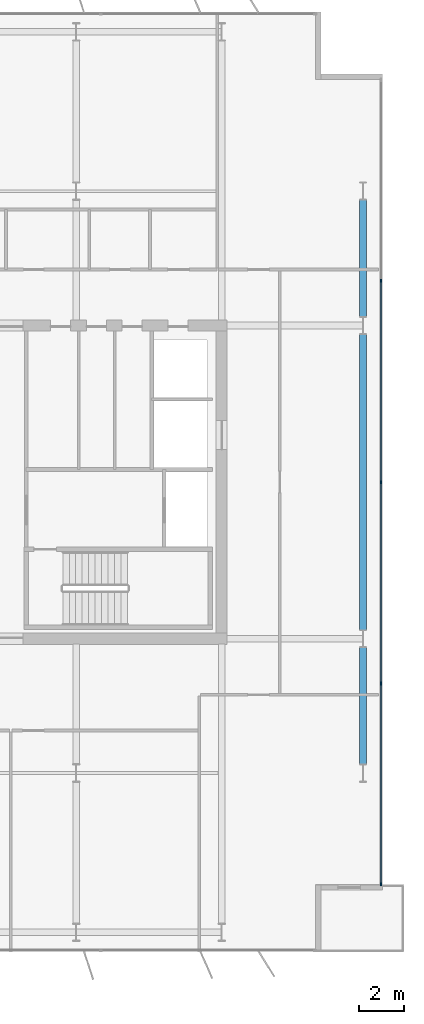
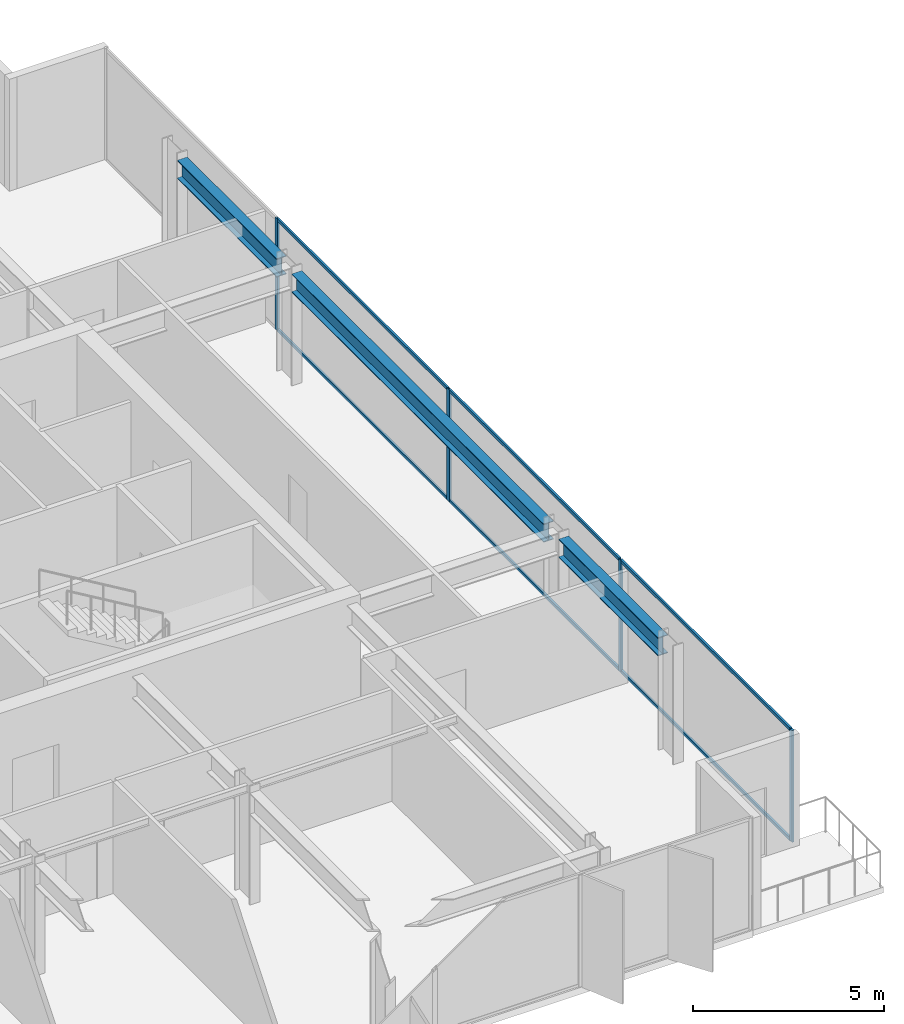
# One storey, part 14 of 24: 10 members, 3 beams, 1 element without a shape of its own.
"""IFC4 building model written with IfcOpenShell, lengths in metres."""

from ifc_helpers import new_model, si_unit, direction, frame, origin, origin_2d, place, context, subcontext, project, spatial, rectangle, i_section, extrude, material, layer, layer_set, material_profile, profile_set, type_object, element, aggregate, save


model = new_model("IFC4")

# Units and contexts
model_context = context("Model", 3, precision=1e-05, world=origin(), true_north=direction((0.0, 1.0)))
body_context = subcontext(model_context, "Body", "Model", "MODEL_VIEW")
ifc_project = project(units=[si_unit("LENGTHUNIT", "METRE"), si_unit("AREAUNIT", "SQUARE_METRE"), si_unit("VOLUMEUNIT", "CUBIC_METRE"), si_unit("PLANEANGLEUNIT", "RADIAN"), si_unit("MASSUNIT", "GRAM", prefix="KILO")], contexts=[model_context])

# Site, building, storey
site_placement = place(None, origin())
site = spatial("IfcSite", under=ifc_project, at=site_placement, CompositionType="ELEMENT")
building_placement = place(site_placement, origin())
building = spatial("IfcBuilding", under=site, at=building_placement, Name="Putna Gate Headquarters", CompositionType="ELEMENT")
storey_placement = place(building_placement, frame((0.0, 0.0, 248.0)))
storey = spatial("IfcBuildingStorey", under=building, at=storey_placement, Name="L62", CompositionType="ELEMENT", Elevation=248.0)

# Beams
ifc_material_1 = material(Name="Steel S355J2", Category="steel")
ifc_material_profile_1 = material_profile(ifc_material_1, i_section(OverallWidth=0.300048828125, OverallDepth=0.590087890625, WebThickness=0.012939453125, FlangeThickness=0.02490234375, at=origin_2d()), Name="Steel S355J2")
ifc_profile_set_1 = profile_set([ifc_material_profile_1], Name="Steel S355J2")
beam_type = type_object("IfcBeamType", Name="BM-SPAN-Z4-HEA600", PredefinedType="SPANDREL", material=ifc_profile_set_1)
beam_1_placement = place(storey_placement, frame((71.320068359375, 13.39501953125, 3.284912109375), z_axis=(0.0, 1.0, 0.0), x_axis=(-1.0, 0.0, 0.0)))
element("IfcBeam", 1, at=beam_1_placement, inside=storey, type_object=beam_type, Name="L62 E End Spandrel 1", PredefinedType="SPANDREL", context=body_context, shape_type="SweptSolid", body=[
    extrude(i_section(OverallWidth=0.300048828125, OverallDepth=0.590087890625, WebThickness=0.012939453125, FlangeThickness=0.02490234375, at=origin_2d()), origin(), (0.0, 0.0, 1.0), 5.2099609375),
])
beam_2_placement = place(storey_placement, frame((71.320068359375, 19.39501953125, 3.284912109375), z_axis=(0.0, 1.0, 0.0), x_axis=(-1.0, 0.0, 0.0)))
element("IfcBeam", 2, at=beam_2_placement, inside=storey, type_object=beam_type, Name="L62 E End Spandrel 2", PredefinedType="SPANDREL", context=body_context, shape_type="SweptSolid", body=[
    extrude(i_section(OverallWidth=0.300048828125, OverallDepth=0.590087890625, WebThickness=0.012939453125, FlangeThickness=0.02490234375, at=origin_2d()), origin(), (0.0, 0.0, 1.0), 13.2099609375),
])
beam_3_placement = place(storey_placement, frame((71.320068359375, 33.39501953125, 3.284912109375), z_axis=(0.0, 1.0, 0.0), x_axis=(-1.0, 0.0, 0.0)))
element("IfcBeam", 3, at=beam_3_placement, inside=storey, type_object=beam_type, Name="L62 E End Spandrel 3", PredefinedType="SPANDREL", context=body_context, shape_type="SweptSolid", body=[
    extrude(i_section(OverallWidth=0.300048828125, OverallDepth=0.590087890625, WebThickness=0.012939453125, FlangeThickness=0.02490234375, at=origin_2d()), origin(), (0.0, 0.0, 1.0), 5.2099609375),
])

# Curtain wall, members
ifc_material_2 = material(Name="Anodised bronze aluminium curtain wall", Category="aluminium")
ifc_layer = layer(ifc_material_2, 0.139892578125)
ifc_layer_set = layer_set([ifc_layer], Name="Anodised bronze aluminium curtain wall")
curtain_wall_type = type_object("IfcCurtainWallType", Name="CW-SYS-Z4", PredefinedType="USERDEFINED", material=ifc_layer_set)
curtain_wall_placement = place(storey_placement, origin())
curtain_wall = element("IfcCurtainWall", 4, at=curtain_wall_placement, inside=storey, type_object=curtain_wall_type, Name="L62 East Curtain Wall", ObjectType="STICK CURTAIN WALL", PredefinedType="USERDEFINED")
ifc_material_3 = material(Name="Anodised bronze aluminium EN AW-6060", Category="aluminium")
ifc_material_profile_2 = material_profile(ifc_material_3, rectangle(XDim=0.06005859375, YDim=0.139892578125, at=origin_2d()), Name="Anodised bronze aluminium EN AW-6060")
ifc_profile_set_2 = profile_set([ifc_material_profile_2], Name="Anodised bronze aluminium EN AW-6060")
member_type_1 = type_object("IfcMemberType", Name="MULL-CWM-4", PredefinedType="MULLION", material=ifc_profile_set_2)
member_1_placement = place(storey_placement, frame((72.1201171875, 8.030029296875, 0.0), z_axis=(0.0, 0.0, 1.0), x_axis=(-1.0, 0.0, 0.0)))
member_1 = element("IfcMember", 5, at=member_1_placement, type_object=member_type_1, Name="CWS-4 mullion 1", PredefinedType="MULLION", context=body_context, shape_type="SweptSolid", body=[
    extrude(rectangle(XDim=0.06005859375, YDim=0.139892578125, at=origin_2d()), origin(), (0.0, 0.0, 1.0), 3.580078125),
])
member_2_placement = place(storey_placement, frame((72.1201171875, 17.0, 0.0), z_axis=(0.0, 0.0, 1.0), x_axis=(-1.0, 0.0, 0.0)))
member_2 = element("IfcMember", 6, at=member_2_placement, type_object=member_type_1, Name="CWS-4 mullion 2", PredefinedType="MULLION", context=body_context, shape_type="SweptSolid", body=[
    extrude(rectangle(XDim=0.06005859375, YDim=0.139892578125, at=origin_2d()), origin(), (0.0, 0.0, 1.0), 3.580078125),
])
member_3_placement = place(storey_placement, frame((72.1201171875, 26.0, 0.0), z_axis=(0.0, 0.0, 1.0), x_axis=(-1.0, 0.0, 0.0)))
member_3 = element("IfcMember", 7, at=member_3_placement, type_object=member_type_1, Name="CWS-4 mullion 3", PredefinedType="MULLION", context=body_context, shape_type="SweptSolid", body=[
    extrude(rectangle(XDim=0.06005859375, YDim=0.139892578125, at=origin_2d()), origin(), (0.0, 0.0, 1.0), 3.580078125),
])
member_4_placement = place(storey_placement, frame((72.1201171875, 35.0, 0.0), z_axis=(0.0, 0.0, 1.0), x_axis=(-1.0, 0.0, 0.0)))
member_4 = element("IfcMember", 8, at=member_4_placement, type_object=member_type_1, Name="CWS-4 mullion 4", PredefinedType="MULLION", context=body_context, shape_type="SweptSolid", body=[
    extrude(rectangle(XDim=0.06005859375, YDim=0.139892578125, at=origin_2d()), origin(), (0.0, 0.0, 1.0), 3.580078125),
])
ifc_material_profile_3 = material_profile(ifc_material_3, rectangle(XDim=0.06005859375, YDim=0.10009765625, at=origin_2d()), Name="Anodised bronze aluminium EN AW-6060")
ifc_profile_set_3 = profile_set([ifc_material_profile_3], Name="Anodised bronze aluminium EN AW-6060")
member_type_2 = type_object("IfcMemberType", Name="TRAN-CWT-4", PredefinedType="USERDEFINED", material=ifc_profile_set_3)
member_5_placement = place(storey_placement, frame((72.1201171875, 8.06005859375, 0.030029296875), z_axis=(0.0, 1.0, 0.0), x_axis=(-1.0, 0.0, 0.0)))
member_5 = element("IfcMember", 9, at=member_5_placement, type_object=member_type_2, Name="CWS-4 transom 1.1", ObjectType="TRANSOM", PredefinedType="USERDEFINED", context=body_context, shape_type="SweptSolid", body=[
    extrude(rectangle(XDim=0.06005859375, YDim=0.10009765625, at=origin_2d()), origin(), (0.0, 0.0, 1.0), 8.909912109375),
])
member_6_placement = place(storey_placement, frame((72.1201171875, 8.06005859375, 3.550048828125), z_axis=(0.0, 1.0, 0.0), x_axis=(-1.0, 0.0, 0.0)))
member_6 = element("IfcMember", 10, at=member_6_placement, type_object=member_type_2, Name="CWS-4 transom 1.2", ObjectType="TRANSOM", PredefinedType="USERDEFINED", context=body_context, shape_type="SweptSolid", body=[
    extrude(rectangle(XDim=0.06005859375, YDim=0.10009765625, at=origin_2d()), origin(), (0.0, 0.0, 1.0), 8.909912109375),
])
member_7_placement = place(storey_placement, frame((72.1201171875, 17.030029296875, 0.030029296875), z_axis=(0.0, 1.0, 0.0), x_axis=(-1.0, 0.0, 0.0)))
member_7 = element("IfcMember", 11, at=member_7_placement, type_object=member_type_2, Name="CWS-4 transom 2.1", ObjectType="TRANSOM", PredefinedType="USERDEFINED", context=body_context, shape_type="SweptSolid", body=[
    extrude(rectangle(XDim=0.06005859375, YDim=0.10009765625, at=origin_2d()), origin(), (0.0, 0.0, 1.0), 8.93994140625),
])
member_8_placement = place(storey_placement, frame((72.1201171875, 17.030029296875, 3.550048828125), z_axis=(0.0, 1.0, 0.0), x_axis=(-1.0, 0.0, 0.0)))
member_8 = element("IfcMember", 12, at=member_8_placement, type_object=member_type_2, Name="CWS-4 transom 2.2", ObjectType="TRANSOM", PredefinedType="USERDEFINED", context=body_context, shape_type="SweptSolid", body=[
    extrude(rectangle(XDim=0.06005859375, YDim=0.10009765625, at=origin_2d()), origin(), (0.0, 0.0, 1.0), 8.93994140625),
])
member_9_placement = place(storey_placement, frame((72.1201171875, 26.030029296875, 0.030029296875), z_axis=(0.0, 1.0, 0.0), x_axis=(-1.0, 0.0, 0.0)))
member_9 = element("IfcMember", 13, at=member_9_placement, type_object=member_type_2, Name="CWS-4 transom 3.1", ObjectType="TRANSOM", PredefinedType="USERDEFINED", context=body_context, shape_type="SweptSolid", body=[
    extrude(rectangle(XDim=0.06005859375, YDim=0.10009765625, at=origin_2d()), origin(), (0.0, 0.0, 1.0), 8.93994140625),
])
member_10_placement = place(storey_placement, frame((72.1201171875, 26.030029296875, 3.550048828125), z_axis=(0.0, 1.0, 0.0), x_axis=(-1.0, 0.0, 0.0)))
member_10 = element("IfcMember", 14, at=member_10_placement, type_object=member_type_2, Name="CWS-4 transom 3.2", ObjectType="TRANSOM", PredefinedType="USERDEFINED", context=body_context, shape_type="SweptSolid", body=[
    extrude(rectangle(XDim=0.06005859375, YDim=0.10009765625, at=origin_2d()), origin(), (0.0, 0.0, 1.0), 8.93994140625),
])
aggregate(curtain_wall, [member_1, member_2, member_3, member_4, member_5, member_6, member_7, member_8, member_9, member_10])

save(model, "model.ifc")
